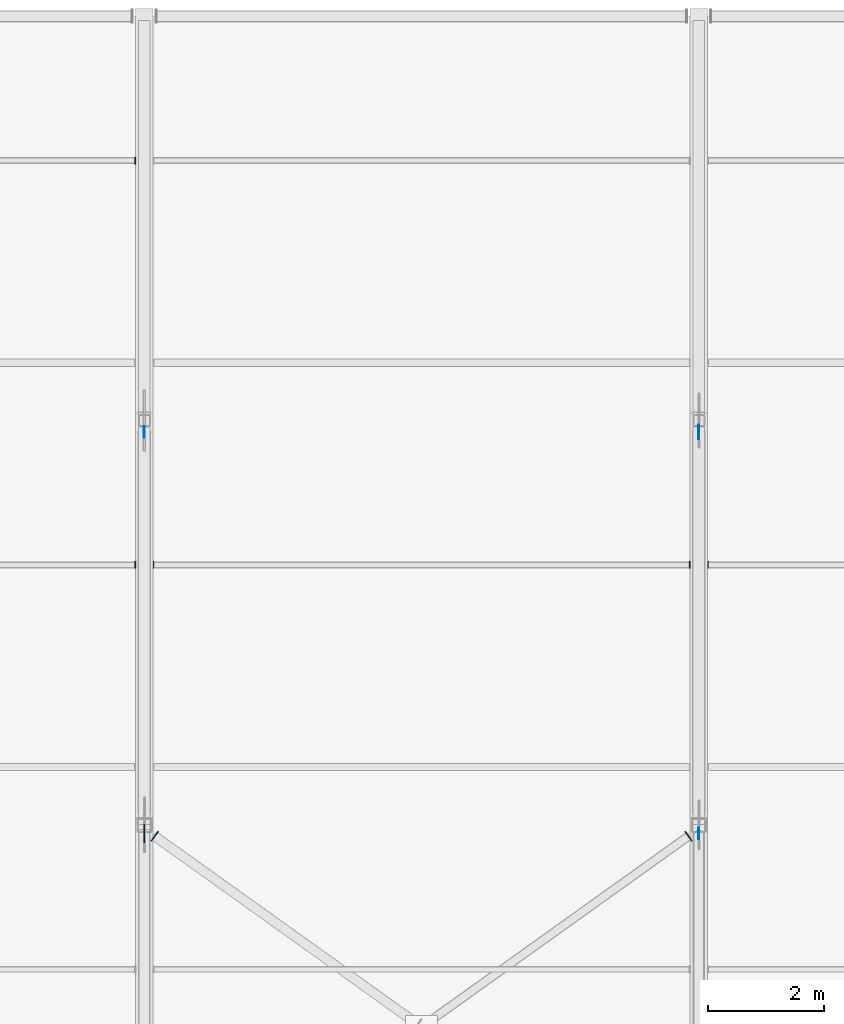
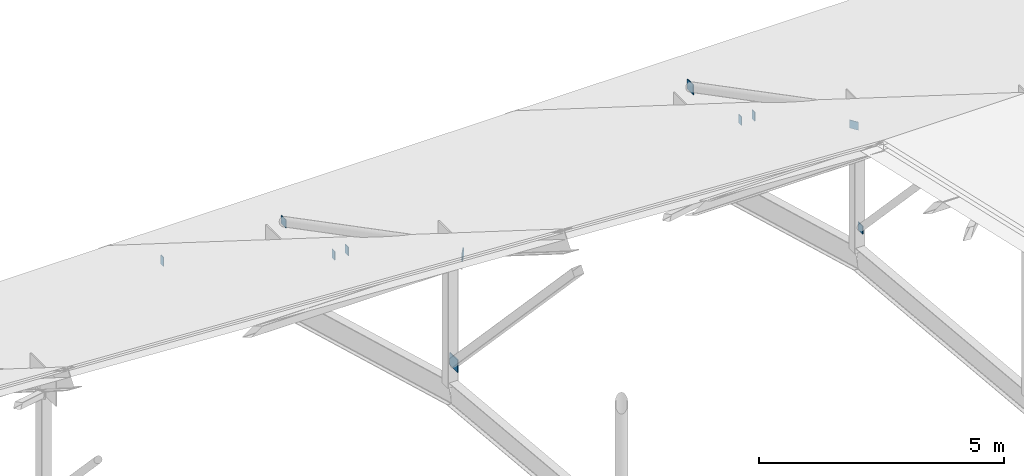
# One storey, part 54 of 66: 11 plates.
"""IFC4 building model written with IfcOpenShell, lengths in metres."""

from ifc_helpers import new_model, si_unit, direction, frame, origin, origin_2d, place, context, subcontext, project, spatial, rectangle, extrude, material, layer, layer_set, type_object, element, save


model = new_model("IFC4")

# Units and contexts
model_context = context("Model", 3, precision=1e-05, world=origin(), true_north=direction((0.0, 1.0)))
body_context = subcontext(model_context, "Body", "Model", "MODEL_VIEW")
ifc_project = project(units=[si_unit("LENGTHUNIT", "METRE"), si_unit("AREAUNIT", "SQUARE_METRE"), si_unit("VOLUMEUNIT", "CUBIC_METRE"), si_unit("PLANEANGLEUNIT", "RADIAN"), si_unit("MASSUNIT", "GRAM", prefix="KILO")], contexts=[model_context])

# Site, building, storey
site_placement = place(None, origin())
site = spatial("IfcSite", under=ifc_project, at=site_placement, CompositionType="ELEMENT")
building_placement = place(site_placement, origin())
building = spatial("IfcBuilding", under=site, at=building_placement, Name="Yeouljin Market Hall", CompositionType="ELEMENT")
storey_placement = place(building_placement, frame((0.0, 0.0, 23.39990234375)))
storey = spatial("IfcBuildingStorey", under=building, at=storey_placement, Name="RF", CompositionType="ELEMENT", Elevation=23.39990234375)

# Plates
ifc_material_1 = material(Name="Steel SM355", Category="steel")
ifc_layer_1 = layer(ifc_material_1, 0.01611328125)
ifc_layer_set_1 = layer_set([ifc_layer_1], Name="Steel SM355")
plate_type_1 = type_object("IfcPlateType", Name="CapPlate_200x200x16", PredefinedType="SHEET", material=ifc_layer_set_1)
for number, where, z_axis, x_axis, name in (
    (1, (83.39990234375, 70.804931640625, -7.142578125), (0.0, 0.0, 1.0), (0.0, 1.0, 0.0), "Hollow web end-cap plate 0024"),
    (2, (93.0, 63.848876953125, -6.43994140625), (0.0, 0.0, 1.0), (0.0, 1.0, 0.0), "Hollow web end-cap plate 0027"),
    (3, (92.820068359375, 63.80419921875, -3.78271484375), (0.0, 0.0, 1.0), (-0.581697151818, 0.813405448449, 0.0), "Wind brace end-cap plate 0164"),
    (4, (83.579833984375, 63.80419921875, -3.78271484375), (0.0, 0.0, 1.0), (0.581697151818, 0.813405448449, 0.0), "Wind brace end-cap plate 0165"),
):
    element("IfcPlate", number, at=place(storey_placement, frame(where, z_axis=z_axis, x_axis=x_axis)), inside=storey, type_object=plate_type_1, Name=name, PredefinedType="SHEET", context=body_context, shape_type="SweptSolid", body=[
        extrude(rectangle(XDim=0.199951171875, YDim=0.01611328125, at=origin_2d()), origin(), (0.0, 0.0, 1.0), 0.199951171875),
    ])
ifc_material_2 = material(Name="Steel SM355", Category="steel")
ifc_layer_2 = layer(ifc_material_2, 0.01611328125)
ifc_layer_set_2 = layer_set([ifc_layer_2], Name="Steel SM355")
plate_type_2 = type_object("IfcPlateType", Name="CapPlate_220x120x16", PredefinedType="SHEET", material=ifc_layer_set_2)
for number, where, z_axis, x_axis, name in (
    (5, (83.241943359375, 68.5, -6.5185546875), (0.0, 0.0, 1.0), (0.0, 1.0, 0.0), "Purlin end-cap plate 0142"),
    (6, (83.241943359375, 75.5, -10.91845703125), (0.0, 0.0, 1.0), (0.0, 1.0, 0.0), "Purlin end-cap plate 0144"),
    (7, (83.55810546875, 68.5, -6.5185546875), (0.0, 0.0, 1.0), (0.0, 1.0, 0.0), "Purlin end-cap plate 0153"),
    (8, (92.842041015625, 68.5, -6.5185546875), (0.0, 0.0, 1.0), (0.0, 1.0, 0.0), "Purlin end-cap plate 0154"),
    (9, (93.157958984375, 68.5, -6.5185546875), (0.0, 0.0, 1.0), (0.0, 1.0, 0.0), "Purlin end-cap plate 0177"),
):
    element("IfcPlate", number, at=place(storey_placement, frame(where, z_axis=z_axis, x_axis=x_axis)), inside=storey, type_object=plate_type_2, Name=name, PredefinedType="SHEET", context=body_context, shape_type="SweptSolid", body=[
        extrude(rectangle(XDim=0.1201171875, YDim=0.01611328125, at=origin_2d()), origin(), (0.0, 0.0, 1.0), 0.219970703125),
    ])
ifc_material_3 = material(Name="Steel SM355", Category="steel")
ifc_layer_3 = layer(ifc_material_3, 0.01611328125)
ifc_layer_set_3 = layer_set([ifc_layer_3], Name="Steel SM355")
plate_type_3 = type_object("IfcPlateType", Name="CapPlate_250x250x16", PredefinedType="SHEET", material=ifc_layer_set_3)
plate_1_placement = place(storey_placement, frame((93.0, 70.804931640625, -7.167724609375), z_axis=(0.0, 0.0, 1.0), x_axis=(0.0, 1.0, 0.0)))
element("IfcPlate", 10, at=plate_1_placement, inside=storey, type_object=plate_type_3, Name="Hollow web end-cap plate 0028", PredefinedType="SHEET", context=body_context, shape_type="SweptSolid", body=[
    extrude(rectangle(XDim=0.25, YDim=0.01611328125, at=origin_2d()), origin(), (0.0, 0.0, 1.0), 0.25),
])
ifc_material_4 = material(Name="Steel SM355", Category="steel")
ifc_layer_4 = layer(ifc_material_4, 0.02001953125)
ifc_layer_set_4 = layer_set([ifc_layer_4], Name="Steel SM355")
plate_type_4 = type_object("IfcPlateType", Name="CapPlate_320x320x20", PredefinedType="SHEET", material=ifc_layer_set_4)
plate_2_placement = place(storey_placement, frame((83.39990234375, 63.848876953125, -6.5), z_axis=(0.0, 0.0, 1.0), x_axis=(0.0, 1.0, 0.0)))
element("IfcPlate", 11, at=plate_2_placement, inside=storey, type_object=plate_type_4, Name="Hollow web end-cap plate 0023", PredefinedType="SHEET", context=body_context, shape_type="SweptSolid", body=[
    extrude(rectangle(XDim=0.320068359375, YDim=0.02001953125, at=origin_2d()), origin(), (0.0, 0.0, 1.0), 0.320068359375),
])

save(model, "model.ifc")
